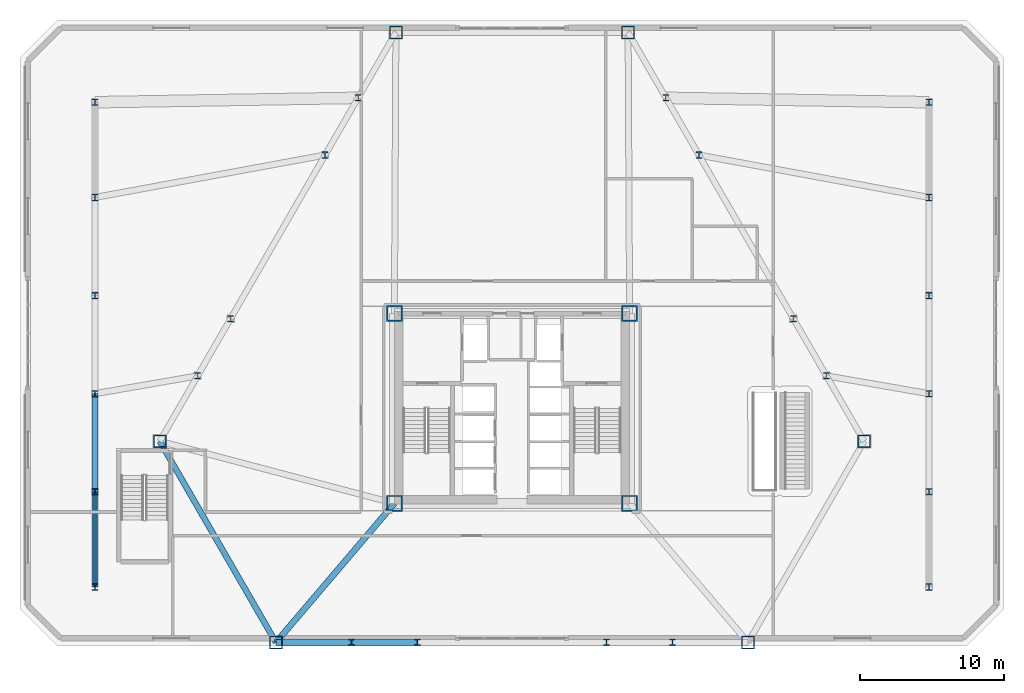
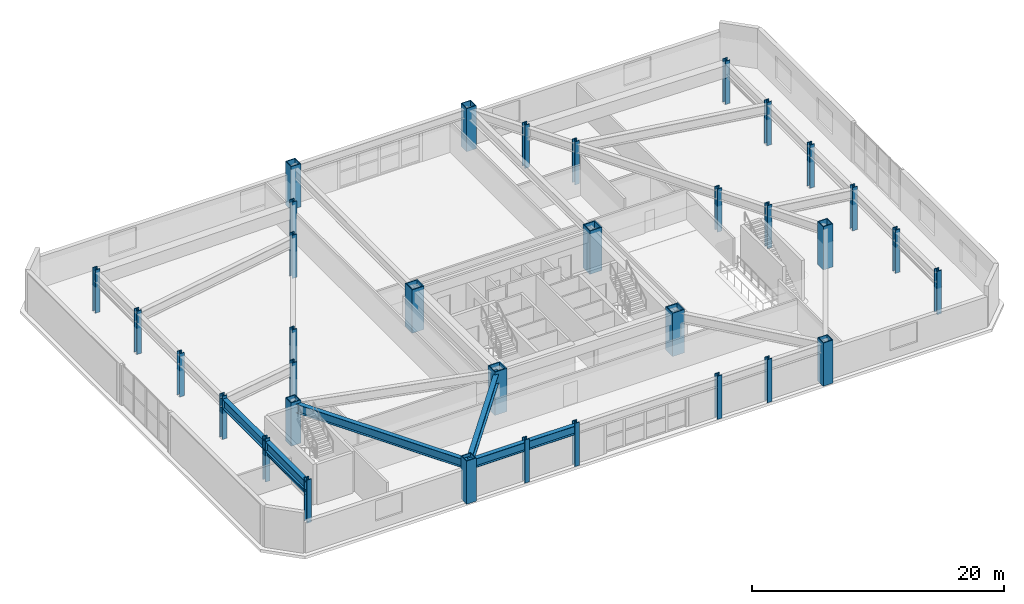
# One storey, part 1 of 22: 34 columns, 7 beams.
"""IFC4 building model written with IfcOpenShell, lengths in metres."""

from ifc_helpers import new_model, si_unit, direction, frame, origin, origin_2d, place, context, subcontext, project, spatial, hollow_rectangle, i_section, extrude, material, material_profile, profile_set, type_object, element, save


model = new_model("IFC4")

# Units and contexts
model_context = context("Model", 3, precision=1e-05, world=origin(), true_north=direction((0.0, 1.0)))
body_context = subcontext(model_context, "Body", "Model", "MODEL_VIEW")
ifc_project = project(units=[si_unit("LENGTHUNIT", "METRE"), si_unit("AREAUNIT", "SQUARE_METRE"), si_unit("VOLUMEUNIT", "CUBIC_METRE"), si_unit("PLANEANGLEUNIT", "RADIAN"), si_unit("MASSUNIT", "GRAM", prefix="KILO")], contexts=[model_context])

# Site, building, storey
site_placement = place(None, origin())
site = spatial("IfcSite", under=ifc_project, at=site_placement, CompositionType="ELEMENT")
building_placement = place(site_placement, origin())
building = spatial("IfcBuilding", under=site, at=building_placement, Name="Oramaril Tower", CompositionType="ELEMENT")
storey_placement = place(building_placement, frame((0.0, 0.0, 14.10009765625)))
storey = spatial("IfcBuildingStorey", under=building, at=storey_placement, Name="L03", CompositionType="ELEMENT", Elevation=14.10009765625)

# Columns
ifc_material_1 = material(Name="Steel ASTM A572 Gr 50", Category="steel")
ifc_material_profile_1 = material_profile(ifc_material_1, hollow_rectangle(XDim=1.10009765625, YDim=1.10009765625, WallThickness=0.090087890625, at=origin_2d()), Name="BOX1100X1100X90")
ifc_profile_set_1 = profile_set([ifc_material_profile_1], Name="Steel ASTM A572 Gr 50")
column_type_1 = type_object("IfcColumnType", Name="CT-CC1", PredefinedType="COLUMN", material=ifc_profile_set_1)
for number, where, z_axis, x_axis, name in (
    (1, (29.35009765625, 11.0, 0.0), (0.0, 0.0, 1.0), (1.0, 0.0, 0.0), "L03 Core Column CC-1"),
    (2, (45.64990234375, 11.0, 0.0), (0.0, 0.0, 1.0), (1.0, 0.0, 0.0), "L03 Core Column CC-2"),
    (3, (45.64990234375, 24.14990234375, 0.0), (0.0, 0.0, 1.0), (1.0, 0.0, 0.0), "L03 Core Column CC-3"),
    (4, (29.35009765625, 24.14990234375, 0.0), (0.0, 0.0, 1.0), (1.0, 0.0, 0.0), "L03 Core Column CC-4"),
):
    element("IfcColumn", number, at=place(storey_placement, frame(where, z_axis=z_axis, x_axis=x_axis)), inside=storey, type_object=column_type_1, Name=name, PredefinedType="COLUMN", context=body_context, shape_type="SweptSolid", body=[
        extrude(hollow_rectangle(XDim=1.10009765625, YDim=1.10009765625, WallThickness=0.090087890625, at=origin_2d()), origin(), (0.0, 0.0, 1.0), 4.199951171875),
    ])
ifc_material_2 = material(Name="Steel ASTM A572 Gr 50", Category="steel")
ifc_material_profile_2 = material_profile(ifc_material_2, hollow_rectangle(XDim=0.89990234375, YDim=0.89990234375, WallThickness=0.074951171875, at=origin_2d()), Name="BOX900X900X75")
ifc_profile_set_2 = profile_set([ifc_material_profile_2], Name="Steel ASTM A572 Gr 50")
column_type_2 = type_object("IfcColumnType", Name="CT-TC2", PredefinedType="COLUMN", material=ifc_profile_set_2)
for number, where, z_axis, x_axis, name in (
    (5, (13.089599609375, 15.300048828125, 0.00439453125), (0.0, 0.0, 1.0), (1.0, 0.0, 0.0), "L03 Tube Column TC-01"),
    (6, (21.137939453125, 1.360107421875, 0.00439453125), (0.0, 0.0, 1.0), (1.0, 0.0, 0.0), "L03 Tube Column TC-02"),
    (7, (53.862060546875, 1.360107421875, 0.00439453125), (0.0, 0.0, 1.0), (1.0, 0.0, 0.0), "L03 Tube Column TC-03"),
    (8, (61.910400390625, 15.300048828125, 0.00439453125), (0.0, 0.0, 1.0), (1.0, 0.0, 0.0), "L03 Tube Column TC-04"),
    (9, (45.548095703125, 43.639892578125, 0.00439453125), (0.0, 0.0, 1.0), (1.0, 0.0, 0.0), "L03 Tube Column TC-05"),
    (10, (29.451904296875, 43.639892578125, 0.00439453125), (0.0, 0.0, 1.0), (1.0, 0.0, 0.0), "L03 Tube Column TC-06"),
):
    element("IfcColumn", number, at=place(storey_placement, frame(where, z_axis=z_axis, x_axis=x_axis)), inside=storey, type_object=column_type_2, Name=name, PredefinedType="COLUMN", context=body_context, shape_type="SweptSolid", body=[
        extrude(hollow_rectangle(XDim=0.89990234375, YDim=0.89990234375, WallThickness=0.074951171875, at=origin_2d()), origin(), (0.0, 0.0, 1.0), 4.19091796875),
    ])
ifc_material_3 = material(Name="Steel ASTM A572 Gr 50", Category="steel")
ifc_material_profile_3 = material_profile(ifc_material_3, i_section(OverallWidth=0.422119140625, OverallDepth=0.465087890625, WebThickness=0.044921875, FlangeThickness=0.072021484375, at=origin_2d()), Name="W14X398")
ifc_profile_set_3 = profile_set([ifc_material_profile_3], Name="Steel ASTM A572 Gr 50")
column_type_3 = type_object("IfcColumnType", Name="CT-TF1", PredefinedType="COLUMN", material=ifc_profile_set_3)
for number, where, z_axis, x_axis, name in (
    (11, (26.373779296875, 1.360107421875, 0.00439453125), (0.0, 0.0, 1.0), (1.0, 0.0, 0.0), "L03 Tube Column TC-07"),
    (12, (30.955078125, 1.360107421875, 0.00439453125), (0.0, 0.0, 1.0), (1.0, 0.0, 0.0), "L03 Tube Column TC-08"),
    (13, (44.044921875, 1.360107421875, 0.00439453125), (0.0, 0.0, 1.0), (1.0, 0.0, 0.0), "L03 Tube Column TC-09"),
    (14, (48.626220703125, 1.360107421875, 0.00439453125), (0.0, 0.0, 1.0), (1.0, 0.0, 0.0), "L03 Tube Column TC-10"),
    (15, (59.29248046875, 19.83447265625, 0.00439453125), (0.0, 0.0, 1.0), (1.0, 0.0, 0.0), "L03 Tube Column TC-11"),
    (16, (57.001708984375, 23.802001953125, 0.00439453125), (0.0, 0.0, 1.0), (1.0, 0.0, 0.0), "L03 Tube Column TC-12"),
    (17, (50.456787109375, 35.137939453125, 0.00439453125), (0.0, 0.0, 1.0), (1.0, 0.0, 0.0), "L03 Tube Column TC-13"),
    (18, (48.166015625, 39.105712890625, 0.00439453125), (0.0, 0.0, 1.0), (1.0, 0.0, 0.0), "L03 Tube Column TC-14"),
    (19, (26.833984375, 39.105712890625, 0.00439453125), (0.0, 0.0, 1.0), (1.0, 0.0, 0.0), "L03 Tube Column TC-15"),
    (20, (24.543212890625, 35.137939453125, 0.00439453125), (0.0, 0.0, 1.0), (1.0, 0.0, 0.0), "L03 Tube Column TC-16"),
    (21, (17.998291015625, 23.802001953125, 0.00439453125), (0.0, 0.0, 1.0), (1.0, 0.0, 0.0), "L03 Tube Column TC-17"),
    (22, (15.70751953125, 19.83447265625, 0.00439453125), (0.0, 0.0, 1.0), (1.0, 0.0, 0.0), "L03 Tube Column TC-18"),
):
    element("IfcColumn", number, at=place(storey_placement, frame(where, z_axis=z_axis, x_axis=x_axis)), inside=storey, type_object=column_type_3, Name=name, PredefinedType="COLUMN", context=body_context, shape_type="SweptSolid", body=[
        extrude(i_section(OverallWidth=0.422119140625, OverallDepth=0.465087890625, WebThickness=0.044921875, FlangeThickness=0.072021484375, at=origin_2d()), origin(), (0.0, 0.0, 1.0), 4.19091796875),
    ])
for number, where, z_axis, x_axis, name in (
    (23, (8.60009765625, 5.199951171875, 0.0), (0.0, 0.0, 1.0), (1.0, 0.0, 0.0), "L03 Podium Column PCOL-01"),
    (24, (8.60009765625, 11.800048828125, 0.0), (0.0, 0.0, 1.0), (1.0, 0.0, 0.0), "L03 Podium Column PCOL-02"),
    (25, (8.60009765625, 18.60009765625, 0.0), (0.0, 0.0, 1.0), (1.0, 0.0, 0.0), "L03 Podium Column PCOL-03"),
    (26, (8.60009765625, 25.39990234375, 0.0), (0.0, 0.0, 1.0), (1.0, 0.0, 0.0), "L03 Podium Column PCOL-04"),
    (27, (8.60009765625, 32.199951171875, 0.0), (0.0, 0.0, 1.0), (1.0, 0.0, 0.0), "L03 Podium Column PCOL-05"),
    (28, (8.60009765625, 38.800048828125, 0.0), (0.0, 0.0, 1.0), (1.0, 0.0, 0.0), "L03 Podium Column PCOL-06"),
    (29, (66.39990234375, 5.199951171875, 0.0), (0.0, 0.0, 1.0), (1.0, 0.0, 0.0), "L03 Podium Column PCOL-07"),
    (30, (66.39990234375, 11.800048828125, 0.0), (0.0, 0.0, 1.0), (1.0, 0.0, 0.0), "L03 Podium Column PCOL-08"),
    (31, (66.39990234375, 18.60009765625, 0.0), (0.0, 0.0, 1.0), (1.0, 0.0, 0.0), "L03 Podium Column PCOL-09"),
    (32, (66.39990234375, 25.39990234375, 0.0), (0.0, 0.0, 1.0), (1.0, 0.0, 0.0), "L03 Podium Column PCOL-10"),
    (33, (66.39990234375, 32.199951171875, 0.0), (0.0, 0.0, 1.0), (1.0, 0.0, 0.0), "L03 Podium Column PCOL-11"),
    (34, (66.39990234375, 38.800048828125, 0.0), (0.0, 0.0, 1.0), (1.0, 0.0, 0.0), "L03 Podium Column PCOL-12"),
):
    element("IfcColumn", number, at=place(storey_placement, frame(where, z_axis=z_axis, x_axis=x_axis)), inside=storey, type_object=column_type_3, Name=name, PredefinedType="COLUMN", context=body_context, shape_type="SweptSolid", body=[
        extrude(i_section(OverallWidth=0.422119140625, OverallDepth=0.465087890625, WebThickness=0.044921875, FlangeThickness=0.072021484375, at=origin_2d()), origin(), (0.0, 0.0, 1.0), 4.199951171875),
    ])

# Beams
ifc_material_4 = material(Name="Steel ASTM A572 Gr 50", Category="steel")
ifc_material_profile_4 = material_profile(ifc_material_4, i_section(OverallWidth=0.1650390625, OverallDepth=0.31005859375, WebThickness=0.005859375, FlangeThickness=0.009765625, at=origin_2d()), Name="W12X26")
ifc_profile_set_4 = profile_set([ifc_material_profile_4], Name="Steel ASTM A572 Gr 50")
beam_type_1 = type_object("IfcBeamType", Name="BT-LN1", PredefinedType="LINTEL", material=ifc_profile_set_4)
beam_1_placement = place(storey_placement, frame((8.60009765625, 5.199951171875, 2.69482421875), z_axis=(0.0, 1.0, 0.0), x_axis=(-1.0, 0.0, 0.0)))
element("IfcBeam", 35, at=beam_1_placement, inside=storey, type_object=beam_type_1, Name="L03 Podium Opening Lintel Beam", PredefinedType="LINTEL", context=body_context, shape_type="SweptSolid", body=[
    extrude(i_section(OverallWidth=0.1650390625, OverallDepth=0.31005859375, WebThickness=0.005859375, FlangeThickness=0.009765625, at=origin_2d()), origin(), (0.0, 0.0, 1.0), 6.60009765625),
])
ifc_material_5 = material(Name="Steel ASTM A572 Gr 50", Category="steel")
ifc_material_profile_5 = material_profile(ifc_material_5, i_section(OverallWidth=0.4189453125, OverallDepth=0.927001953125, WebThickness=0.019287109375, FlangeThickness=0.031982421875, at=origin_2d()), Name="W36X231")
ifc_profile_set_5 = profile_set([ifc_material_profile_5], Name="Steel ASTM A572 Gr 50")
beam_type_2 = type_object("IfcBeamType", Name="BT-PG2", PredefinedType="BEAM", material=ifc_profile_set_5)
beam_2_placement = place(storey_placement, frame((29.35009765625, 11.0, 3.456298828125), z_axis=(-0.64848466157, -0.761227721322, 0.0), x_axis=(0.761227721322, -0.64848466157, 0.0)))
element("IfcBeam", 36, at=beam_2_placement, inside=storey, type_object=beam_type_2, Name="L03 Radial Primary Beam RB-02", PredefinedType="BEAM", context=body_context, shape_type="SweptSolid", body=[
    extrude(i_section(OverallWidth=0.4189453125, OverallDepth=0.927001953125, WebThickness=0.019287109375, FlangeThickness=0.031982421875, at=origin_2d()), origin(), (0.0, 0.0, 1.0), 12.66357421875),
])
beam_3_placement = place(storey_placement, frame((8.60009765625, 5.199951171875, 3.456298828125), z_axis=(0.0, 1.0, 0.0), x_axis=(-1.0, 0.0, 0.0)))
element("IfcBeam", 37, at=beam_3_placement, inside=storey, type_object=beam_type_2, Name="L03 Podium Perimeter Girder 01", PredefinedType="BEAM", context=body_context, shape_type="SweptSolid", body=[
    extrude(i_section(OverallWidth=0.4189453125, OverallDepth=0.927001953125, WebThickness=0.019287109375, FlangeThickness=0.031982421875, at=origin_2d()), origin(), (0.0, 0.0, 1.0), 6.60009765625),
])
beam_4_placement = place(storey_placement, frame((8.60009765625, 11.800048828125, 3.456298828125), z_axis=(0.0, 1.0, 0.0), x_axis=(-1.0, 0.0, 0.0)))
element("IfcBeam", 38, at=beam_4_placement, inside=storey, type_object=beam_type_2, Name="L03 Podium Perimeter Girder 02", PredefinedType="BEAM", context=body_context, shape_type="SweptSolid", body=[
    extrude(i_section(OverallWidth=0.4189453125, OverallDepth=0.927001953125, WebThickness=0.019287109375, FlangeThickness=0.031982421875, at=origin_2d()), origin(), (0.0, 0.0, 1.0), 6.800048828125),
])
ifc_material_6 = material(Name="Steel ASTM A572 Gr 50", Category="steel")
ifc_material_profile_6 = material_profile(ifc_material_6, i_section(OverallWidth=0.40087890625, OverallDepth=0.85595703125, WebThickness=0.018310546875, FlangeThickness=0.029296875, at=origin_2d()), Name="W33X201")
ifc_profile_set_6 = profile_set([ifc_material_profile_6], Name="Steel ASTM A572 Gr 50")
beam_type_3 = type_object("IfcBeamType", Name="BT-SP1", PredefinedType="SPANDREL", material=ifc_profile_set_6)
beam_5_placement = place(storey_placement, frame((13.089599609375, 15.300048828125, 3.491943359375), z_axis=(0.500005168208, -0.866022419898, 0.0), x_axis=(0.866022419898, 0.500005168208, 0.0)))
element("IfcBeam", 39, at=beam_5_placement, inside=storey, type_object=beam_type_3, Name="L03 Perimeter Spandrel 01", PredefinedType="SPANDREL", context=body_context, shape_type="SweptSolid", body=[
    extrude(i_section(OverallWidth=0.40087890625, OverallDepth=0.85595703125, WebThickness=0.018310546875, FlangeThickness=0.029296875, at=origin_2d()), origin(), (0.0, 0.0, 1.0), 16.096435546875),
])
beam_6_placement = place(storey_placement, frame((21.137939453125, 1.360107421875, 3.491943359375), z_axis=(1.0, 0.0, 0.0), x_axis=(0.0, 1.0, 0.0)))
element("IfcBeam", 40, at=beam_6_placement, inside=storey, type_object=beam_type_3, Name="L03 Perimeter Spandrel 02", PredefinedType="SPANDREL", context=body_context, shape_type="SweptSolid", body=[
    extrude(i_section(OverallWidth=0.40087890625, OverallDepth=0.85595703125, WebThickness=0.018310546875, FlangeThickness=0.029296875, at=origin_2d()), origin(), (0.0, 0.0, 1.0), 5.23583984375),
])
beam_7_placement = place(storey_placement, frame((26.373779296875, 1.360107421875, 3.491943359375), z_axis=(1.0, 0.0, 0.0), x_axis=(0.0, 1.0, 0.0)))
element("IfcBeam", 41, at=beam_7_placement, inside=storey, type_object=beam_type_3, Name="L03 Perimeter Spandrel 03", PredefinedType="SPANDREL", context=body_context, shape_type="SweptSolid", body=[
    extrude(i_section(OverallWidth=0.40087890625, OverallDepth=0.85595703125, WebThickness=0.018310546875, FlangeThickness=0.029296875, at=origin_2d()), origin(), (0.0, 0.0, 1.0), 4.581298828125),
])

save(model, "model.ifc")
